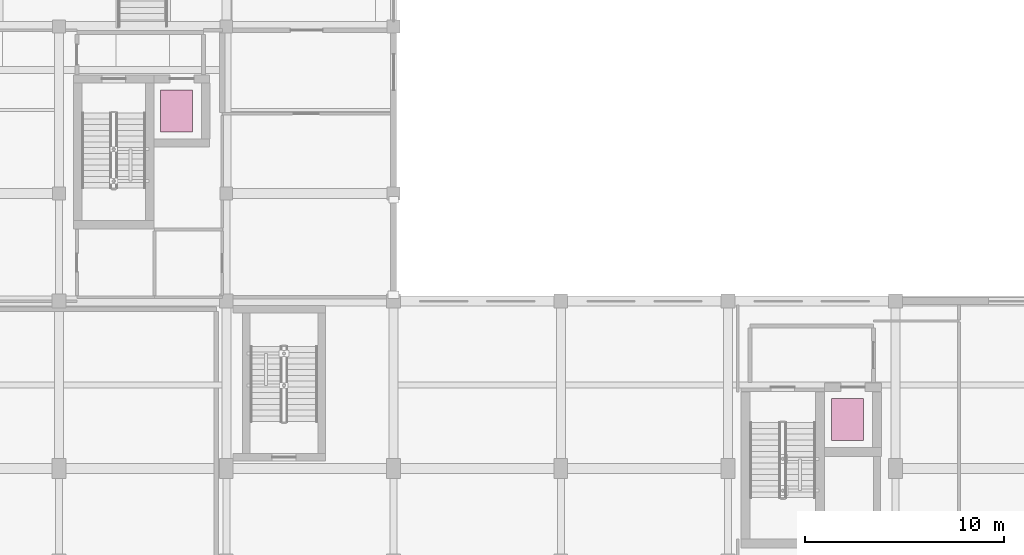
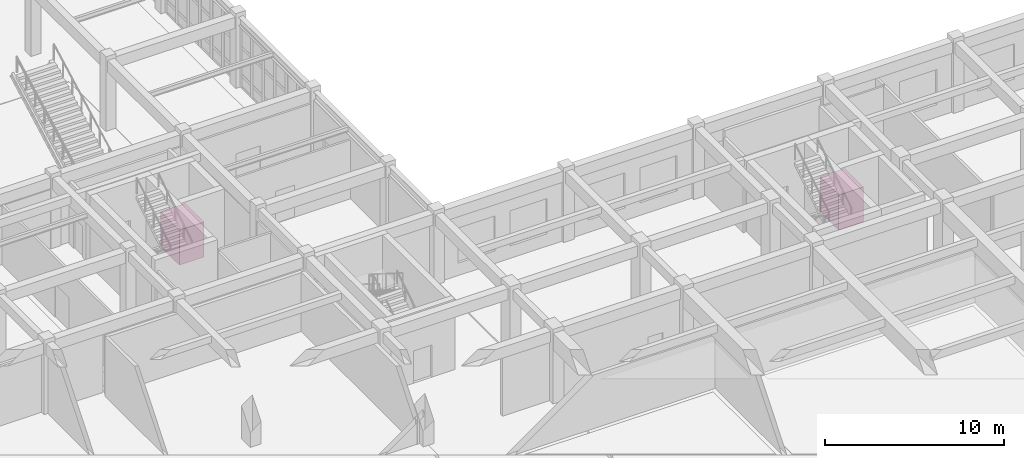
# One storey, part 80 of 80: 2 transport elements.
"""IFC4 building model written with IfcOpenShell, lengths in metres."""

from ifc_helpers import new_model, si_unit, direction, frame, origin, origin_2d, place, context, subcontext, project, spatial, rectangle, extrude, material, type_object, element, save


model = new_model("IFC4")

# Units and contexts
model_context = context("Model", 3, precision=1e-05, world=origin(), true_north=direction((0.0, 1.0)))
body_context = subcontext(model_context, "Body", "Model", "MODEL_VIEW")
ifc_project = project(units=[si_unit("LENGTHUNIT", "METRE"), si_unit("AREAUNIT", "SQUARE_METRE"), si_unit("VOLUMEUNIT", "CUBIC_METRE"), si_unit("PLANEANGLEUNIT", "RADIAN"), si_unit("MASSUNIT", "GRAM", prefix="KILO")], contexts=[model_context])

# Site, building, storey
site_placement = place(None, origin())
site = spatial("IfcSite", under=ifc_project, at=site_placement, CompositionType="ELEMENT")
building_placement = place(site_placement, origin())
building = spatial("IfcBuilding", under=site, at=building_placement, Name="Krzemoval Escarpment Law Courts", CompositionType="ELEMENT")
storey_placement = place(building_placement, origin())
storey = spatial("IfcBuildingStorey", under=building, at=storey_placement, Name="L00", CompositionType="ELEMENT", Elevation=0.0)

# Transport elements
ifc_material = material(Name="Stainless Steel Grade 304 Lift Car Assembly", Category="steel")
transport_element_type = type_object("IfcTransportElementType", Name="LFT-PAX-1600x2100", PredefinedType="ELEVATOR", material=ifc_material)
for number, where, z_axis, x_axis, name in (
    (1, (64.800048828125, 29.449951171875, 0.0), (0.0, 0.0, 1.0), (1.0, 0.0, 0.0), "Passenger Lift PL3"),
    (2, (31.10009765625, 44.949951171875, 0.0), (0.0, 0.0, 1.0), (1.0, 0.0, 0.0), "Passenger Lift PL4"),
):
    element("IfcTransportElement", number, at=place(storey_placement, frame(where, z_axis=z_axis, x_axis=x_axis)), inside=storey, type_object=transport_element_type, Name=name, PredefinedType="ELEVATOR", context=body_context, shape_type="SweptSolid", body=[
        extrude(rectangle(XDim=1.60009765625, YDim=2.10009765625, at=origin_2d()), origin(), (0.0, 0.0, 1.0), 2.39990234375),
    ])

save(model, "model.ifc")
